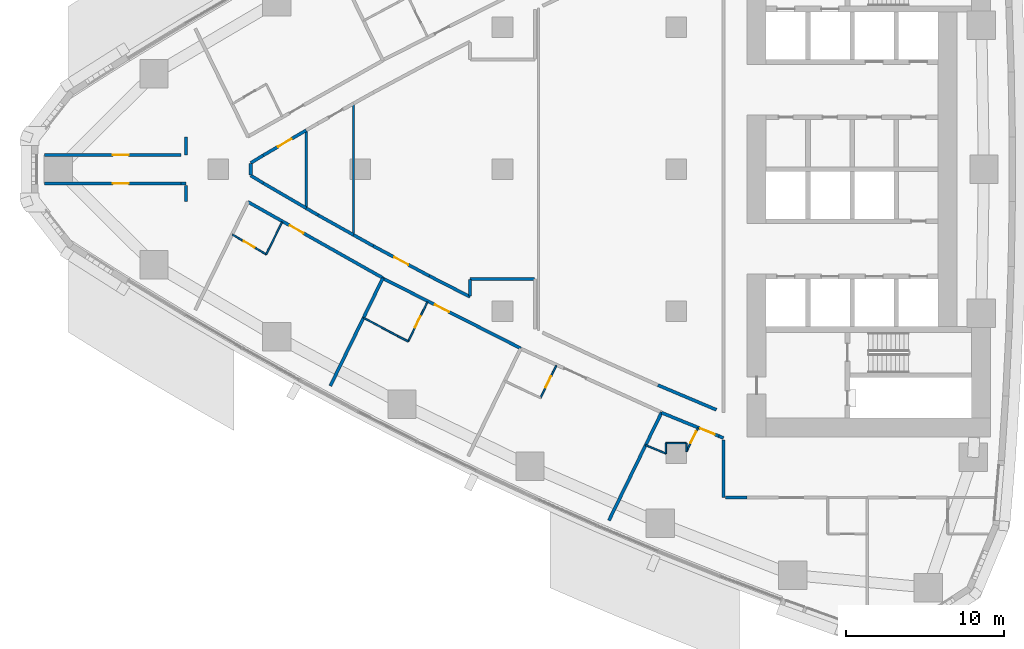
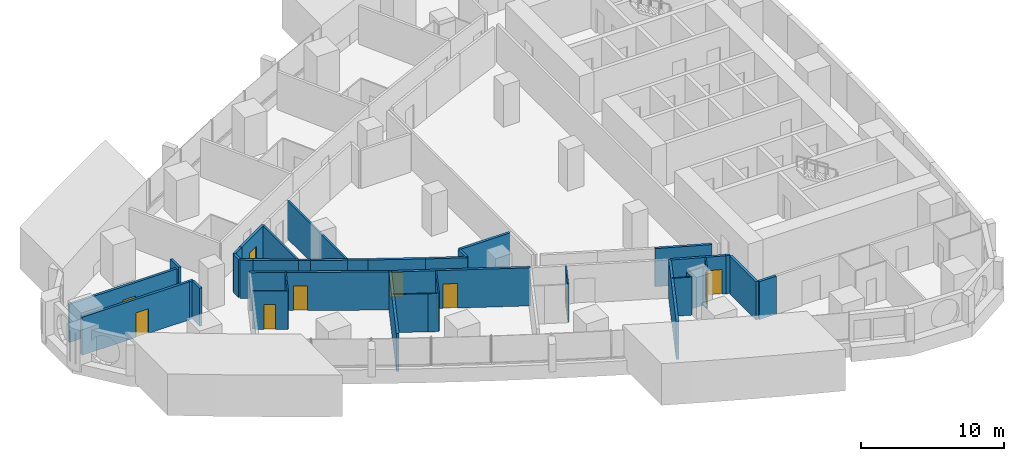
# One storey, part 9 of 19: 39 walls, 11 doors, 11 openings.
"""IFC4 building model written with IfcOpenShell, lengths in metres."""

from ifc_helpers import new_model, si_unit, direction, frame, frame_2d, origin, place, context, subcontext, project, spatial, rectangle, extrude, material, layer, layer_set, type_object, element, fill, save


model = new_model("IFC4")

# Units and contexts
model_context = context("Model", 3, precision=1e-05, world=origin(), true_north=direction((0.0, 1.0)))
body_context = subcontext(model_context, "Body", "Model", "MODEL_VIEW")
ifc_project = project(units=[si_unit("LENGTHUNIT", "METRE"), si_unit("AREAUNIT", "SQUARE_METRE"), si_unit("VOLUMEUNIT", "CUBIC_METRE"), si_unit("PLANEANGLEUNIT", "RADIAN"), si_unit("MASSUNIT", "GRAM", prefix="KILO")], contexts=[model_context])

# Site, building, storey
site_placement = place(None, origin())
site = spatial("IfcSite", under=ifc_project, at=site_placement, CompositionType="ELEMENT")
building_placement = place(site_placement, origin())
building = spatial("IfcBuilding", under=site, at=building_placement, Name="Ostrand Prow Hotel Tower", CompositionType="ELEMENT")
storey_placement = place(building_placement, frame((0.0, 0.0, 60.89990234375)))
storey = spatial("IfcBuildingStorey", under=building, at=storey_placement, Name="L13", CompositionType="ELEMENT", Elevation=60.89990234375)

# Wall
ifc_material_1 = material(Name="Plasterboard partition")
ifc_layer_1 = layer(ifc_material_1, 0.10009765625)
ifc_layer_set_1 = layer_set([ifc_layer_1], Name="Plasterboard partition")
wall_type_1 = type_object("IfcWallType", Name="Partition 100 bathroom wall", PredefinedType="PARTITIONING", material=ifc_layer_set_1)
wall_1_placement = place(storey_placement, frame((20.035400390625, -3.338134765625, 0.0), z_axis=(0.0, 0.0, 1.0), x_axis=(-0.438122322582, -0.898915363344, 0.0)))
element("IfcWall", 1, at=wall_1_placement, inside=storey, type_object=wall_type_1, Name="BATHROOM WALL", PredefinedType="PARTITIONING", context=body_context, shape_type="SweptSolid", body=[
    extrude(rectangle(XDim=2.282958984375, YDim=0.10009765625, at=frame_2d((1.1416015625, 0.0))), origin(), (0.0, 0.0, 1.0), 3.25),
])

# Wall, opening, door
wall_2_placement = place(storey_placement, frame((19.034912109375, -5.390380859375, 0.0), z_axis=(0.0, 0.0, 1.0), x_axis=(-0.863707305865, 0.503993739837, 0.0)))
wall_2 = element("IfcWall", 2, at=wall_2_placement, inside=storey, type_object=wall_type_1, Name="BATHROOM WALL", PredefinedType="PARTITIONING", context=body_context, shape_type="SweptSolid", body=[
    extrude(rectangle(XDim=2.473876953125, YDim=0.10009765625, at=frame_2d((1.23681640625, 0.0))), origin(), (0.0, 0.0, 1.0), 3.25),
])
opening_1_placement = place(wall_2_placement, frame((0.85009765625, 0.0, 0.0)))
opening_1 = element("IfcOpeningElement", 3, at=opening_1_placement, cuts=wall_2, Name="Opening D2", PredefinedType="OPENING", context=body_context, shape_type="SweptSolid", body=[
    extrude(rectangle(XDim=0.800048828125, YDim=2.10009765625, at=frame_2d((0.39990234375, 1.050048828125))), frame((0.0, 0.06005859375, 0.0), z_axis=(0.0, -1.0, 0.0), x_axis=(1.0, 0.0, 0.0)), (0.0, 0.0, 1.0), 0.1201171875),
])
ifc_material_2 = material(Name="Timber door leaf", Category="wood")
door_type_1 = type_object("IfcDoorType", Name="Bathroom door 800", OperationType="SINGLE_SWING_LEFT", PredefinedType="DOOR", material=ifc_material_2)
door_1_placement = place(opening_1_placement, origin())
door_1 = element("IfcDoor", 4, at=door_1_placement, inside=storey, type_object=door_type_1, Name="DOOR", OperationType="SINGLE_SWING_LEFT", OverallHeight=2.10009765625, OverallWidth=0.800048828125, PredefinedType="DOOR", context=body_context, shape_type="SweptSolid", body=[
    extrude(rectangle(XDim=0.800048828125, YDim=2.10009765625, at=frame_2d((0.39990234375, 1.050048828125))), frame((0.0, 0.02490234375, 0.0), z_axis=(0.0, -1.0, 0.0), x_axis=(1.0, 0.0, 0.0)), (0.0, 0.0, 1.0), 0.050048828125),
])
fill(opening_1, door_1)

wall_3_placement = place(storey_placement, frame((29.243896484375, -8.410888671875, 0.0), z_axis=(0.0, 0.0, 1.0), x_axis=(-0.438189818179, -0.898882463531, 0.0)))
wall_3 = element("IfcWall", 5, at=wall_3_placement, inside=storey, type_object=wall_type_1, Name="BATHROOM WALL", PredefinedType="PARTITIONING", context=body_context, shape_type="SweptSolid", body=[
    extrude(rectangle(XDim=2.77734375, YDim=0.10009765625, at=frame_2d((1.388671875, 0.0))), origin(), (0.0, 0.0, 1.0), 3.25),
])
opening_2_placement = place(wall_3_placement, frame((1.0, 0.0, 0.0)))
opening_2 = element("IfcOpeningElement", 6, at=opening_2_placement, cuts=wall_3, Name="Opening D2", PredefinedType="OPENING", context=body_context, shape_type="SweptSolid", body=[
    extrude(rectangle(XDim=0.800048828125, YDim=2.10009765625, at=frame_2d((0.39990234375, 1.050048828125))), frame((0.0, 0.06005859375, 0.0), z_axis=(0.0, -1.0, 0.0), x_axis=(1.0, 0.0, 0.0)), (0.0, 0.0, 1.0), 0.1201171875),
])
door_2_placement = place(opening_2_placement, origin())
door_2 = element("IfcDoor", 7, at=door_2_placement, inside=storey, type_object=door_type_1, Name="DOOR", OperationType="SINGLE_SWING_LEFT", OverallHeight=2.10009765625, OverallWidth=0.800048828125, PredefinedType="DOOR", context=body_context, shape_type="SweptSolid", body=[
    extrude(rectangle(XDim=0.800048828125, YDim=2.10009765625, at=frame_2d((0.39990234375, 1.050048828125))), frame((0.0, 0.02490234375, 0.0), z_axis=(0.0, -1.0, 0.0), x_axis=(1.0, 0.0, 0.0)), (0.0, 0.0, 1.0), 0.050048828125),
])
fill(opening_2, door_2)

# Walls
wall_4_placement = place(storey_placement, frame((28.02685546875, -10.907470703125, 0.0), z_axis=(0.0, 0.0, 1.0), x_axis=(-0.890195653003, 0.455578422858, 0.0)))
element("IfcWall", 8, at=wall_4_placement, inside=storey, type_object=wall_type_1, Name="BATHROOM WALL", PredefinedType="PARTITIONING", context=body_context, shape_type="SweptSolid", body=[
    extrude(rectangle(XDim=0.745361328125, YDim=0.10009765625, at=frame_2d((0.37255859375, 0.0))), origin(), (0.0, 0.0, 1.0), 3.25),
])
wall_5_placement = place(storey_placement, frame((27.36328125, -10.56787109375, 0.0), z_axis=(0.0, 0.0, 1.0), x_axis=(-0.881658684569, 0.471887660279, 0.0)))
element("IfcWall", 9, at=wall_5_placement, inside=storey, type_object=wall_type_1, Name="BATHROOM WALL", PredefinedType="PARTITIONING", context=body_context, shape_type="SweptSolid", body=[
    extrude(rectangle(XDim=2.45654296875, YDim=0.10009765625, at=frame_2d((1.228271484375, 0.0))), origin(), (0.0, 0.0, 1.0), 3.25),
])

# Wall, opening, door
wall_6_placement = place(storey_placement, frame((37.406005859375, -12.43505859375, 0.0), z_axis=(0.0, 0.0, 1.0), x_axis=(-0.438271544149, -0.898842618921, 0.0)))
wall_6 = element("IfcWall", 10, at=wall_6_placement, inside=storey, type_object=wall_type_1, Name="BATHROOM WALL", PredefinedType="PARTITIONING", context=body_context, shape_type="SweptSolid", body=[
    extrude(rectangle(XDim=2.27734375, YDim=0.10009765625, at=frame_2d((1.138671875, 0.0))), origin(), (0.0, 0.0, 1.0), 3.25),
])
opening_3_placement = place(wall_6_placement, frame((0.75, 0.0, 0.0)))
opening_3 = element("IfcOpeningElement", 11, at=opening_3_placement, cuts=wall_6, Name="Opening D2", PredefinedType="OPENING", context=body_context, shape_type="SweptSolid", body=[
    extrude(rectangle(XDim=0.800048828125, YDim=2.10009765625, at=frame_2d((0.39990234375, 1.050048828125))), frame((0.0, 0.06005859375, 0.0), z_axis=(0.0, -1.0, 0.0), x_axis=(1.0, 0.0, 0.0)), (0.0, 0.0, 1.0), 0.1201171875),
])
door_3_placement = place(opening_3_placement, origin())
door_3 = element("IfcDoor", 12, at=door_3_placement, inside=storey, type_object=door_type_1, Name="DOOR", OperationType="SINGLE_SWING_LEFT", OverallHeight=2.10009765625, OverallWidth=0.800048828125, PredefinedType="DOOR", context=body_context, shape_type="SweptSolid", body=[
    extrude(rectangle(XDim=0.800048828125, YDim=2.10009765625, at=frame_2d((0.39990234375, 1.050048828125))), frame((0.0, 0.02490234375, 0.0), z_axis=(0.0, -1.0, 0.0), x_axis=(1.0, 0.0, 0.0)), (0.0, 0.0, 1.0), 0.050048828125),
])
fill(opening_3, door_3)

wall_7_placement = place(storey_placement, frame((46.376953125, -16.39697265625, 0.0), z_axis=(0.0, 0.0, 1.0), x_axis=(-0.438301838547, -0.89882784688, 0.0)))
wall_7 = element("IfcWall", 13, at=wall_7_placement, inside=storey, type_object=wall_type_1, Name="BATHROOM WALL", PredefinedType="PARTITIONING", context=body_context, shape_type="SweptSolid", body=[
    extrude(rectangle(XDim=1.65869140625, YDim=0.10009765625, at=frame_2d((0.829345703125, 0.0))), origin(), (0.0, 0.0, 1.0), 3.25),
])
opening_4_placement = place(wall_7_placement, frame((0.25, 0.0, 0.0)))
opening_4 = element("IfcOpeningElement", 14, at=opening_4_placement, cuts=wall_7, Name="Opening D2", PredefinedType="OPENING", context=body_context, shape_type="SweptSolid", body=[
    extrude(rectangle(XDim=0.800048828125, YDim=2.10009765625, at=frame_2d((0.39990234375, 1.050048828125))), frame((0.0, 0.06005859375, 0.0), z_axis=(0.0, -1.0, 0.0), x_axis=(1.0, 0.0, 0.0)), (0.0, 0.0, 1.0), 0.1201171875),
])
door_4_placement = place(opening_4_placement, origin())
door_4 = element("IfcDoor", 15, at=door_4_placement, inside=storey, type_object=door_type_1, Name="DOOR", OperationType="SINGLE_SWING_LEFT", OverallHeight=2.10009765625, OverallWidth=0.800048828125, PredefinedType="DOOR", context=body_context, shape_type="SweptSolid", body=[
    extrude(rectangle(XDim=0.800048828125, YDim=2.10009765625, at=frame_2d((0.39990234375, 1.050048828125))), frame((0.0, 0.02490234375, 0.0), z_axis=(0.0, -1.0, 0.0), x_axis=(1.0, 0.0, 0.0)), (0.0, 0.0, 1.0), 0.050048828125),
])
fill(opening_4, door_4)

# Walls
wall_8_placement = place(storey_placement, frame((45.64990234375, -17.887939453125, 0.0), z_axis=(0.0, 0.0, 1.0), x_axis=(0.0, 1.0, 0.0)))
element("IfcWall", 16, at=wall_8_placement, inside=storey, type_object=wall_type_1, Name="BATHROOM WALL", PredefinedType="PARTITIONING", context=body_context, shape_type="SweptSolid", body=[
    extrude(rectangle(XDim=0.535888671875, YDim=0.10009765625, at=frame_2d((0.26806640625, 0.0))), origin(), (0.0, 0.0, 1.0), 3.25),
])
wall_9_placement = place(storey_placement, frame((45.64794921875, -17.35009765625, 0.0), z_axis=(0.0, 0.0, 1.0), x_axis=(-1.0, 0.0, 0.0)))
element("IfcWall", 17, at=wall_9_placement, inside=storey, type_object=wall_type_1, Name="BATHROOM WALL", PredefinedType="PARTITIONING", context=body_context, shape_type="SweptSolid", body=[
    extrude(rectangle(XDim=1.2958984375, YDim=0.10009765625, at=frame_2d((0.64794921875, 0.0))), origin(), (0.0, 0.0, 1.0), 3.25),
])
wall_10_placement = place(storey_placement, frame((44.35009765625, -17.35205078125, 0.0), z_axis=(0.0, 0.0, 1.0), x_axis=(0.0, -1.0, 0.0)))
element("IfcWall", 18, at=wall_10_placement, inside=storey, type_object=wall_type_1, Name="BATHROOM WALL", PredefinedType="PARTITIONING", context=body_context, shape_type="SweptSolid", body=[
    extrude(rectangle(XDim=0.660888671875, YDim=0.10009765625, at=frame_2d((0.33056640625, 0.0))), origin(), (0.0, 0.0, 1.0), 3.25),
])
wall_11_placement = place(storey_placement, frame((44.35009765625, -18.012939453125, 0.0), z_axis=(0.0, 0.0, 1.0), x_axis=(-0.921313965742, 0.388819465214, 0.0)))
element("IfcWall", 19, at=wall_11_placement, inside=storey, type_object=wall_type_1, Name="BATHROOM WALL", PredefinedType="PARTITIONING", context=body_context, shape_type="SweptSolid", body=[
    extrude(rectangle(XDim=1.38818359375, YDim=0.10009765625, at=frame_2d((0.694091796875, 0.0))), origin(), (0.0, 0.0, 1.0), 3.25),
])
ifc_material_3 = material(Name="Plasterboard partition")
ifc_layer_2 = layer(ifc_material_3, 0.14990234375)
ifc_layer_set_2 = layer_set([ifc_layer_2], Name="Plasterboard partition")
wall_type_2 = type_object("IfcWallType", Name="Partition 150 room partition", PredefinedType="PARTITIONING", material=ifc_layer_set_2)
wall_12_placement = place(storey_placement, frame((21.565185546875, -2.46728515625, 0.0), z_axis=(0.0, 0.0, 1.0), x_axis=(0.0, 1.0, 0.0)))
element("IfcWall", 20, at=wall_12_placement, inside=storey, type_object=wall_type_2, Name="ROOM PARTITION", PredefinedType="PARTITIONING", context=body_context, shape_type="SweptSolid", body=[
    extrude(rectangle(XDim=4.9345703125, YDim=0.14990234375, at=frame_2d((2.46728515625, 0.0))), origin(), (0.0, 0.0, 1.0), 3.25),
])
wall_13_placement = place(storey_placement, frame((24.565185546875, -4.1630859375, 0.0), z_axis=(0.0, 0.0, 1.0), x_axis=(0.0, 1.0, 0.0)))
element("IfcWall", 21, at=wall_13_placement, inside=storey, type_object=wall_type_2, Name="ROOM PARTITION", PredefinedType="PARTITIONING", context=body_context, shape_type="SweptSolid", body=[
    extrude(rectangle(XDim=8.326171875, YDim=0.14990234375, at=frame_2d((4.1630859375, 0.0))), origin(), (0.0, 0.0, 1.0), 3.25),
])

# Wall, opening, door
ifc_material_4 = material(Name="Plasterboard partition")
ifc_layer_3 = layer(ifc_material_4, 0.199951171875)
ifc_layer_set_3 = layer_set([ifc_layer_3], Name="Plasterboard partition")
wall_type_3 = type_object("IfcWallType", Name="Partition 200 corridor wall", PredefinedType="PARTITIONING", material=ifc_layer_set_3)
wall_14_placement = place(storey_placement, frame((17.87353515625, -2.068115234375, 0.0), z_axis=(0.0, 0.0, 1.0), x_axis=(0.871078318876, -0.491144136057, 0.0)))
wall_14 = element("IfcWall", 22, at=wall_14_placement, inside=storey, type_object=wall_type_3, Name="CORRIDOR WALL", PredefinedType="PARTITIONING", context=body_context, shape_type="SweptSolid", body=[
    extrude(rectangle(XDim=9.8173828125, YDim=0.199951171875, at=frame_2d((4.90869140625, 0.0))), origin(), (0.0, 0.0, 1.0), 3.25),
])
opening_5_placement = place(wall_14_placement, frame((3.050048828125, 0.0, 0.0)))
opening_5 = element("IfcOpeningElement", 23, at=opening_5_placement, cuts=wall_14, Name="Opening D1R", PredefinedType="OPENING", context=body_context, shape_type="SweptSolid", body=[
    extrude(rectangle(XDim=1.0, YDim=2.10009765625, at=frame_2d((0.5, 1.050048828125))), frame((0.0, 0.10986328125, 0.0), z_axis=(0.0, -1.0, 0.0), x_axis=(1.0, 0.0, 0.0)), (0.0, 0.0, 1.0), 0.219970703125),
])
ifc_material_5 = material(Name="Timber door leaf", Category="wood")
door_type_2 = type_object("IfcDoorType", Name="Guest room door 1000 right", OperationType="SINGLE_SWING_RIGHT", PredefinedType="DOOR", material=ifc_material_5)
door_5_placement = place(opening_5_placement, origin())
door_5 = element("IfcDoor", 24, at=door_5_placement, inside=storey, type_object=door_type_2, Name="DOOR", OperationType="SINGLE_SWING_RIGHT", OverallHeight=2.10009765625, OverallWidth=1.0, PredefinedType="DOOR", context=body_context, shape_type="SweptSolid", body=[
    extrude(rectangle(XDim=1.0, YDim=2.10009765625, at=frame_2d((0.5, 1.050048828125))), frame((0.0, 0.02490234375, 0.0), z_axis=(0.0, -1.0, 0.0), x_axis=(1.0, 0.0, 0.0)), (0.0, 0.0, 1.0), 0.050048828125),
])
fill(opening_5, door_5)

wall_15_placement = place(storey_placement, frame((26.41650390625, -6.907958984375, 0.0), z_axis=(0.0, 0.0, 1.0), x_axis=(0.891700643128, -0.452625632334, 0.0)))
wall_15 = element("IfcWall", 25, at=wall_15_placement, inside=storey, type_object=wall_type_3, Name="CORRIDOR WALL", PredefinedType="PARTITIONING", context=body_context, shape_type="SweptSolid", body=[
    extrude(rectangle(XDim=9.80126953125, YDim=0.199951171875, at=frame_2d((4.900634765625, 0.0))), origin(), (0.0, 0.0, 1.0), 3.25),
])
opening_6_placement = place(wall_15_placement, frame((3.699951171875, 0.0, 0.0)))
opening_6 = element("IfcOpeningElement", 26, at=opening_6_placement, cuts=wall_15, Name="Opening D1R", PredefinedType="OPENING", context=body_context, shape_type="SweptSolid", body=[
    extrude(rectangle(XDim=1.0, YDim=2.10009765625, at=frame_2d((0.5, 1.050048828125))), frame((0.0, 0.10986328125, 0.0), z_axis=(0.0, -1.0, 0.0), x_axis=(1.0, 0.0, 0.0)), (0.0, 0.0, 1.0), 0.219970703125),
])
door_6_placement = place(opening_6_placement, origin())
door_6 = element("IfcDoor", 27, at=door_6_placement, inside=storey, type_object=door_type_2, Name="DOOR", OperationType="SINGLE_SWING_RIGHT", OverallHeight=2.10009765625, OverallWidth=1.0, PredefinedType="DOOR", context=body_context, shape_type="SweptSolid", body=[
    extrude(rectangle(XDim=1.0, YDim=2.10009765625, at=frame_2d((0.5, 1.050048828125))), frame((0.0, 0.02490234375, 0.0), z_axis=(0.0, -1.0, 0.0), x_axis=(1.0, 0.0, 0.0)), (0.0, 0.0, 1.0), 0.050048828125),
])
fill(opening_6, door_6)

wall_16_placement = place(storey_placement, frame((18.843505859375, 0.879150390625, 0.0), z_axis=(0.0, 0.0, 1.0), x_axis=(0.86371145221, 0.503986634071, 0.0)))
wall_16 = element("IfcWall", 28, at=wall_16_placement, inside=storey, type_object=wall_type_3, Name="CORRIDOR WALL", PredefinedType="PARTITIONING", context=body_context, shape_type="SweptSolid", body=[
    extrude(rectangle(XDim=3.151123046875, YDim=0.199951171875, at=frame_2d((1.57568359375, 0.0))), origin(), (0.0, 0.0, 1.0), 3.25),
])
opening_7_placement = place(wall_16_placement, frame((1.07568359375, 0.0, 0.0)))
opening_7 = element("IfcOpeningElement", 29, at=opening_7_placement, cuts=wall_16, Name="Opening D1", PredefinedType="OPENING", context=body_context, shape_type="SweptSolid", body=[
    extrude(rectangle(XDim=1.0, YDim=2.10009765625, at=frame_2d((0.5, 1.050048828125))), frame((0.0, 0.10986328125, 0.0), z_axis=(0.0, -1.0, 0.0), x_axis=(1.0, 0.0, 0.0)), (0.0, 0.0, 1.0), 0.219970703125),
])
ifc_material_6 = material(Name="Timber door leaf", Category="wood")
door_type_3 = type_object("IfcDoorType", Name="Guest room door 1000", OperationType="SINGLE_SWING_LEFT", PredefinedType="DOOR", material=ifc_material_6)
door_7_placement = place(opening_7_placement, origin())
door_7 = element("IfcDoor", 30, at=door_7_placement, inside=storey, type_object=door_type_3, Name="DOOR", OperationType="SINGLE_SWING_LEFT", OverallHeight=2.10009765625, OverallWidth=1.0, PredefinedType="DOOR", context=body_context, shape_type="SweptSolid", body=[
    extrude(rectangle(XDim=1.0, YDim=2.10009765625, at=frame_2d((0.5, 1.050048828125))), frame((0.0, 0.02490234375, 0.0), z_axis=(0.0, -1.0, 0.0), x_axis=(1.0, 0.0, 0.0)), (0.0, 0.0, 1.0), 0.050048828125),
])
fill(opening_7, door_7)

# Walls
for number, where, z_axis, x_axis, name in (
    (31, (18.843505859375, -0.879150390625, 0.0), (0.0, 0.0, 1.0), (-0.8542290073, 0.519896915828, 0.0), "CORRIDOR WALL"),
    (32, (18.050048828125, 0.396240234375, 0.0), (0.0, 0.0, 1.0), (0.8542290073, 0.519896915828, 0.0), "CORRIDOR WALL"),
):
    element("IfcWall", number, at=place(storey_placement, frame(where, z_axis=z_axis, x_axis=x_axis)), inside=storey, type_object=wall_type_3, Name=name, PredefinedType="PARTITIONING", context=body_context, shape_type="SweptSolid", body=[
        extrude(rectangle(XDim=0.928955078125, YDim=0.199951171875, at=frame_2d((0.46435546875, 0.0))), origin(), (0.0, 0.0, 1.0), 3.25),
    ])
wall_17_placement = place(storey_placement, frame((21.565185546875, -2.46728515625, 0.0), z_axis=(0.0, 0.0, 1.0), x_axis=(-0.86371145221, 0.503986634071, 0.0)))
element("IfcWall", 33, at=wall_17_placement, inside=storey, type_object=wall_type_3, Name="CORRIDOR WALL", PredefinedType="PARTITIONING", context=body_context, shape_type="SweptSolid", body=[
    extrude(rectangle(XDim=3.151123046875, YDim=0.199951171875, at=frame_2d((1.57568359375, 0.0))), origin(), (0.0, 0.0, 1.0), 3.25),
])
wall_18_placement = place(storey_placement, frame((22.31201171875, -2.903076171875, 0.0), z_axis=(0.0, 0.0, 1.0), x_axis=(-0.863707207562, 0.503993908303, 0.0)))
element("IfcWall", 34, at=wall_18_placement, inside=storey, type_object=wall_type_3, Name="CORRIDOR WALL", PredefinedType="PARTITIONING", context=body_context, shape_type="SweptSolid", body=[
    extrude(rectangle(XDim=0.86474609375, YDim=0.199951171875, at=frame_2d((0.432373046875, 0.0))), origin(), (0.0, 0.0, 1.0), 3.25),
])
wall_19_placement = place(storey_placement, frame((24.565185546875, -4.1630859375, 0.0), z_axis=(0.0, 0.0, 1.0), x_axis=(-0.872797752414, 0.488082045748, 0.0)))
element("IfcWall", 35, at=wall_19_placement, inside=storey, type_object=wall_type_3, Name="CORRIDOR WALL", PredefinedType="PARTITIONING", context=body_context, shape_type="SweptSolid", body=[
    extrude(rectangle(XDim=2.58154296875, YDim=0.199951171875, at=frame_2d((1.290771484375, 0.0))), origin(), (0.0, 0.0, 1.0), 3.25),
])

# Wall, opening, door
wall_20_placement = place(storey_placement, frame((29.357421875, -6.758056640625, 0.0), z_axis=(0.0, 0.0, 1.0), x_axis=(-0.881655245922, 0.471894084874, 0.0)))
wall_20 = element("IfcWall", 36, at=wall_20_placement, inside=storey, type_object=wall_type_3, Name="CORRIDOR WALL", PredefinedType="PARTITIONING", context=body_context, shape_type="SweptSolid", body=[
    extrude(rectangle(XDim=4.015869140625, YDim=0.199951171875, at=frame_2d((2.0078125, 0.0))), origin(), (0.0, 0.0, 1.0), 3.25),
])
opening_8_placement = place(wall_20_placement, frame((1.5078125, 0.0, 0.0)))
opening_8 = element("IfcOpeningElement", 37, at=opening_8_placement, cuts=wall_20, Name="Opening D1", PredefinedType="OPENING", context=body_context, shape_type="SweptSolid", body=[
    extrude(rectangle(XDim=1.0, YDim=2.10009765625, at=frame_2d((0.5, 1.050048828125))), frame((0.0, 0.10986328125, 0.0), z_axis=(0.0, -1.0, 0.0), x_axis=(1.0, 0.0, 0.0)), (0.0, 0.0, 1.0), 0.219970703125),
])
door_8_placement = place(opening_8_placement, origin())
door_8 = element("IfcDoor", 38, at=door_8_placement, inside=storey, type_object=door_type_3, Name="DOOR", OperationType="SINGLE_SWING_LEFT", OverallHeight=2.10009765625, OverallWidth=1.0, PredefinedType="DOOR", context=body_context, shape_type="SweptSolid", body=[
    extrude(rectangle(XDim=1.0, YDim=2.10009765625, at=frame_2d((0.5, 1.050048828125))), frame((0.0, 0.02490234375, 0.0), z_axis=(0.0, -1.0, 0.0), x_axis=(1.0, 0.0, 0.0)), (0.0, 0.0, 1.0), 0.050048828125),
])
fill(opening_8, door_8)

# Walls
wall_21_placement = place(storey_placement, frame((31.949951171875, -8.084716796875, 0.0), z_axis=(0.0, 0.0, 1.0), x_axis=(-0.890213377055, 0.455543788579, 0.0)))
element("IfcWall", 39, at=wall_21_placement, inside=storey, type_object=wall_type_3, Name="CORRIDOR WALL", PredefinedType="PARTITIONING", context=body_context, shape_type="SweptSolid", body=[
    extrude(rectangle(XDim=2.912353515625, YDim=0.199951171875, at=frame_2d((1.4560546875, 0.0))), origin(), (0.0, 0.0, 1.0), 3.25),
])
wall_22_placement = place(storey_placement, frame((25.81689453125, -4.863037109375, 0.0), z_axis=(0.0, 0.0, 1.0), x_axis=(-0.872804855849, 0.488069343031, 0.0)))
element("IfcWall", 40, at=wall_22_placement, inside=storey, type_object=wall_type_3, Name="CORRIDOR WALL", PredefinedType="PARTITIONING", context=body_context, shape_type="SweptSolid", body=[
    extrude(rectangle(XDim=1.43408203125, YDim=0.199951171875, at=frame_2d((0.717041015625, 0.0))), origin(), (0.0, 0.0, 1.0), 3.25),
])
wall_23_placement = place(storey_placement, frame((47.549560546875, -15.239013671875, 0.0), z_axis=(0.0, 0.0, 1.0), x_axis=(-0.921269894054, 0.388923877269, 0.0)))
element("IfcWall", 41, at=wall_23_placement, inside=storey, type_object=wall_type_3, Name="CORRIDOR WALL", PredefinedType="PARTITIONING", context=body_context, shape_type="SweptSolid", body=[
    extrude(rectangle(XDim=4.015625, YDim=0.199951171875, at=frame_2d((2.0078125, 0.0))), origin(), (0.0, 0.0, 1.0), 3.25),
])

# Wall, opening, door
wall_24_placement = place(storey_placement, frame((4.977294921875, 0.89990234375, 0.0), z_axis=(0.0, 0.0, 1.0), x_axis=(1.0, 0.0, 0.0)))
wall_24 = element("IfcWall", 42, at=wall_24_placement, inside=storey, type_object=wall_type_3, Name="CORRIDOR WALL", PredefinedType="PARTITIONING", context=body_context, shape_type="SweptSolid", body=[
    extrude(rectangle(XDim=8.672607421875, YDim=0.199951171875, at=frame_2d((4.33642578125, 0.0))), origin(), (0.0, 0.0, 1.0), 3.25),
])
opening_9_placement = place(wall_24_placement, frame((4.344970703125, 0.0, 0.0)))
opening_9 = element("IfcOpeningElement", 43, at=opening_9_placement, cuts=wall_24, Name="Opening D1", PredefinedType="OPENING", context=body_context, shape_type="SweptSolid", body=[
    extrude(rectangle(XDim=1.0, YDim=2.10009765625, at=frame_2d((0.5, 1.050048828125))), frame((0.0, 0.10986328125, 0.0), z_axis=(0.0, -1.0, 0.0), x_axis=(1.0, 0.0, 0.0)), (0.0, 0.0, 1.0), 0.219970703125),
])
door_9_placement = place(opening_9_placement, origin())
door_9 = element("IfcDoor", 44, at=door_9_placement, inside=storey, type_object=door_type_3, Name="DOOR", OperationType="SINGLE_SWING_LEFT", OverallHeight=2.10009765625, OverallWidth=1.0, PredefinedType="DOOR", context=body_context, shape_type="SweptSolid", body=[
    extrude(rectangle(XDim=1.0, YDim=2.10009765625, at=frame_2d((0.5, 1.050048828125))), frame((0.0, 0.02490234375, 0.0), z_axis=(0.0, -1.0, 0.0), x_axis=(1.0, 0.0, 0.0)), (0.0, 0.0, 1.0), 0.050048828125),
])
fill(opening_9, door_9)

wall_25_placement = place(storey_placement, frame((4.977294921875, -0.89990234375, 0.0), z_axis=(0.0, 0.0, 1.0), x_axis=(1.0, 0.0, 0.0)))
wall_25 = element("IfcWall", 45, at=wall_25_placement, inside=storey, type_object=wall_type_3, Name="CORRIDOR WALL", PredefinedType="PARTITIONING", context=body_context, shape_type="SweptSolid", body=[
    extrude(rectangle(XDim=8.672607421875, YDim=0.199951171875, at=frame_2d((4.33642578125, 0.0))), origin(), (0.0, 0.0, 1.0), 3.25),
])
opening_10_placement = place(wall_25_placement, frame((4.344970703125, 0.0, 0.0)))
opening_10 = element("IfcOpeningElement", 46, at=opening_10_placement, cuts=wall_25, Name="Opening D1R", PredefinedType="OPENING", context=body_context, shape_type="SweptSolid", body=[
    extrude(rectangle(XDim=1.0, YDim=2.10009765625, at=frame_2d((0.5, 1.050048828125))), frame((0.0, 0.10986328125, 0.0), z_axis=(0.0, -1.0, 0.0), x_axis=(1.0, 0.0, 0.0)), (0.0, 0.0, 1.0), 0.219970703125),
])
door_10_placement = place(opening_10_placement, origin())
door_10 = element("IfcDoor", 47, at=door_10_placement, inside=storey, type_object=door_type_2, Name="DOOR", OperationType="SINGLE_SWING_RIGHT", OverallHeight=2.10009765625, OverallWidth=1.0, PredefinedType="DOOR", context=body_context, shape_type="SweptSolid", body=[
    extrude(rectangle(XDim=1.0, YDim=2.10009765625, at=frame_2d((0.5, 1.050048828125))), frame((0.0, 0.02490234375, 0.0), z_axis=(0.0, -1.0, 0.0), x_axis=(1.0, 0.0, 0.0)), (0.0, 0.0, 1.0), 0.050048828125),
])
fill(opening_10, door_10)

wall_26_placement = place(storey_placement, frame((44.071533203125, -15.420654296875, 0.0), z_axis=(0.0, 0.0, 1.0), x_axis=(0.925861862022, -0.377862160653, 0.0)))
wall_26 = element("IfcWall", 48, at=wall_26_placement, inside=storey, type_object=wall_type_3, Name="CORRIDOR WALL", PredefinedType="PARTITIONING", context=body_context, shape_type="SweptSolid", body=[
    extrude(rectangle(XDim=3.923095703125, YDim=0.199951171875, at=frame_2d((1.96142578125, 0.0))), origin(), (0.0, 0.0, 1.0), 3.25),
])
opening_11_placement = place(wall_26_placement, frame((2.64990234375, 0.0, 0.0)))
opening_11 = element("IfcOpeningElement", 49, at=opening_11_placement, cuts=wall_26, Name="Opening D1R", PredefinedType="OPENING", context=body_context, shape_type="SweptSolid", body=[
    extrude(rectangle(XDim=1.0, YDim=2.10009765625, at=frame_2d((0.5, 1.050048828125))), frame((0.0, 0.10986328125, 0.0), z_axis=(0.0, -1.0, 0.0), x_axis=(1.0, 0.0, 0.0)), (0.0, 0.0, 1.0), 0.219970703125),
])
door_11_placement = place(opening_11_placement, origin())
door_11 = element("IfcDoor", 50, at=door_11_placement, inside=storey, type_object=door_type_2, Name="DOOR", OperationType="SINGLE_SWING_RIGHT", OverallHeight=2.10009765625, OverallWidth=1.0, PredefinedType="DOOR", context=body_context, shape_type="SweptSolid", body=[
    extrude(rectangle(XDim=1.0, YDim=2.10009765625, at=frame_2d((0.5, 1.050048828125))), frame((0.0, 0.02490234375, 0.0), z_axis=(0.0, -1.0, 0.0), x_axis=(1.0, 0.0, 0.0)), (0.0, 0.0, 1.0), 0.050048828125),
])
fill(opening_11, door_11)

# Walls
wall_27_placement = place(storey_placement, frame((18.054931640625, -0.356689453125, 0.0), z_axis=(0.0, 0.0, 1.0), x_axis=(0.0, 1.0, 0.0)))
element("IfcWall", 51, at=wall_27_placement, inside=storey, type_object=wall_type_3, Name="CORRIDOR WALL", PredefinedType="PARTITIONING", context=body_context, shape_type="SweptSolid", body=[
    extrude(rectangle(XDim=0.71337890625, YDim=0.199951171875, at=frame_2d((0.356689453125, 0.0))), origin(), (0.0, 0.0, 1.0), 3.25),
])
wall_28_placement = place(storey_placement, frame((36.012451171875, -6.945556640625, 0.0), z_axis=(0.0, 0.0, 1.0), x_axis=(-0.999999998196, 6.0074492e-05, 0.0)))
element("IfcWall", 52, at=wall_28_placement, inside=storey, type_object=wall_type_3, Name="CORRIDOR WALL", PredefinedType="PARTITIONING", context=body_context, shape_type="SweptSolid", body=[
    extrude(rectangle(XDim=4.06396484375, YDim=0.199951171875, at=frame_2d((2.031982421875, 0.0))), origin(), (0.0, 0.0, 1.0), 3.25),
])
wall_29_placement = place(storey_placement, frame((31.948486328125, -6.985107421875, 0.0), z_axis=(0.0, 0.0, 1.0), x_axis=(-0.003248242724, -0.999994724446, 0.0)))
element("IfcWall", 53, at=wall_29_placement, inside=storey, type_object=wall_type_3, Name="CORRIDOR WALL", PredefinedType="PARTITIONING", context=body_context, shape_type="SweptSolid", body=[
    extrude(rectangle(XDim=1.05224609375, YDim=0.199951171875, at=frame_2d((0.526123046875, 0.0))), origin(), (0.0, 0.0, 1.0), 3.25),
])
wall_30_placement = place(storey_placement, frame((13.945556640625, 2.052490234375, 0.0), z_axis=(0.0, 0.0, 1.0), x_axis=(-0.000423818568, -0.999999910189, 0.0)))
element("IfcWall", 54, at=wall_30_placement, inside=storey, type_object=wall_type_3, Name="CORRIDOR WALL", PredefinedType="PARTITIONING", context=body_context, shape_type="SweptSolid", body=[
    extrude(rectangle(XDim=1.152099609375, YDim=0.199951171875, at=frame_2d((0.576171875, 0.0))), origin(), (0.0, 0.0, 1.0), 3.25),
])
wall_31_placement = place(storey_placement, frame((13.64990234375, -0.89990234375, 0.0), z_axis=(0.0, 0.0, 1.0), x_axis=(0.99999876, -0.001574801197, 0.0)))
element("IfcWall", 55, at=wall_31_placement, inside=storey, type_object=wall_type_3, Name="CORRIDOR WALL", PredefinedType="PARTITIONING", context=body_context, shape_type="SweptSolid", body=[
    extrude(rectangle(XDim=0.31005859375, YDim=0.199951171875, at=frame_2d((0.155029296875, 0.0))), origin(), (0.0, 0.0, 1.0), 3.25),
])
wall_32_placement = place(storey_placement, frame((13.945068359375, -1.0205078125, 0.0), z_axis=(0.0, 0.0, 1.0), x_axis=(0.000473148752, -0.999999888065, 0.0)))
element("IfcWall", 56, at=wall_32_placement, inside=storey, type_object=wall_type_3, Name="CORRIDOR WALL", PredefinedType="PARTITIONING", context=body_context, shape_type="SweptSolid", body=[
    extrude(rectangle(XDim=1.031982421875, YDim=0.199951171875, at=frame_2d((0.51611328125, 0.0))), origin(), (0.0, 0.0, 1.0), 3.25),
])
wall_33_placement = place(storey_placement, frame((47.703857421875, -16.903076171875, 0.0), z_axis=(0.0, 0.0, 1.0), x_axis=(0.919891741777, -0.392172389913, 0.0)))
element("IfcWall", 57, at=wall_33_placement, inside=storey, type_object=wall_type_3, Name="CORRIDOR WALL", PredefinedType="PARTITIONING", context=body_context, shape_type="SweptSolid", body=[
    extrude(rectangle(XDim=0.320556640625, YDim=0.199951171875, at=frame_2d((0.16015625, 0.0))), origin(), (0.0, 0.0, 1.0), 3.25),
])
wall_34_placement = place(storey_placement, frame((47.99853515625, -17.148681640625, 0.0), z_axis=(0.0, 0.0, 1.0), x_axis=(-0.000868751343, -0.999999622635, 0.0)))
element("IfcWall", 58, at=wall_34_placement, inside=storey, type_object=wall_type_3, Name="CORRIDOR WALL", PredefinedType="PARTITIONING", context=body_context, shape_type="SweptSolid", body=[
    extrude(rectangle(XDim=3.6533203125, YDim=0.199951171875, at=frame_2d((1.82666015625, 0.0))), origin(), (0.0, 0.0, 1.0), 3.25),
])
wall_35_placement = place(storey_placement, frame((48.115478515625, -20.802001953125, 0.0), z_axis=(0.0, 0.0, 1.0), x_axis=(0.999997761218, -0.002116024182, 0.0)))
element("IfcWall", 59, at=wall_35_placement, inside=storey, type_object=wall_type_3, Name="CORRIDOR WALL", PredefinedType="PARTITIONING", context=body_context, shape_type="SweptSolid", body=[
    extrude(rectangle(XDim=1.384521484375, YDim=0.199951171875, at=frame_2d((0.6923828125, 0.0))), origin(), (0.0, 0.0, 1.0), 3.25),
])
ifc_material_7 = material(Name="Plasterboard partition")
ifc_layer_4 = layer(ifc_material_7, 0.199951171875)
ifc_layer_set_4 = layer_set([ifc_layer_4], Name="Plasterboard partition")
wall_type_4 = type_object("IfcWallType", Name="Partition 200 key partition", PredefinedType="PARTITIONING", material=ifc_layer_set_4)
wall_36_placement = place(storey_placement, frame((23.092529296875, -13.726318359375, 0.0), z_axis=(0.0, 0.0, 1.0), x_axis=(0.438202895602, 0.898876088394, 0.0)))
element("IfcWall", 60, at=wall_36_placement, inside=storey, type_object=wall_type_4, Name="KEY PARTITION", PredefinedType="PARTITIONING", context=body_context, shape_type="SweptSolid", body=[
    extrude(rectangle(XDim=7.60546875, YDim=0.199951171875, at=frame_2d((3.802734375, 0.0))), origin(), (0.0, 0.0, 1.0), 3.25),
])
wall_37_placement = place(storey_placement, frame((40.7451171875, -22.244140625, 0.0), z_axis=(0.0, 0.0, 1.0), x_axis=(0.438196739796, 0.898879089328, 0.0)))
element("IfcWall", 61, at=wall_37_placement, inside=storey, type_object=wall_type_4, Name="KEY PARTITION", PredefinedType="PARTITIONING", context=body_context, shape_type="SweptSolid", body=[
    extrude(rectangle(XDim=7.611083984375, YDim=0.199951171875, at=frame_2d((3.8056640625, 0.0))), origin(), (0.0, 0.0, 1.0), 3.25),
])

save(model, "model.ifc")
